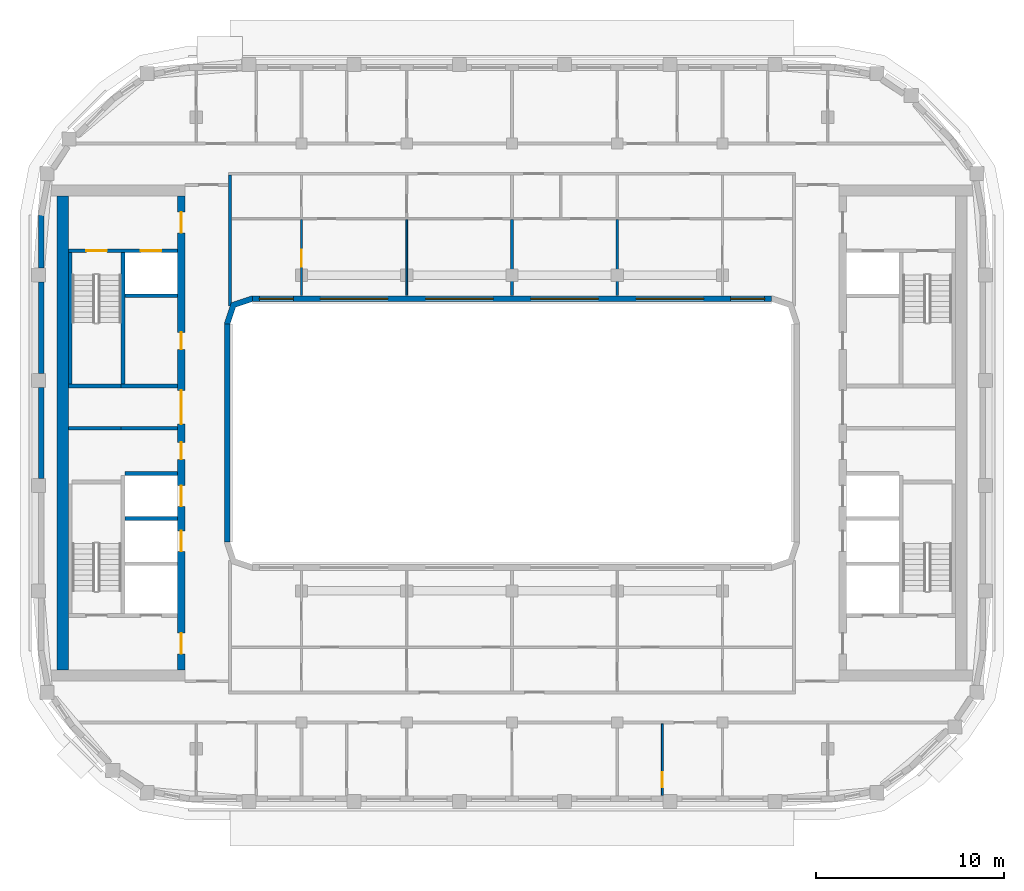
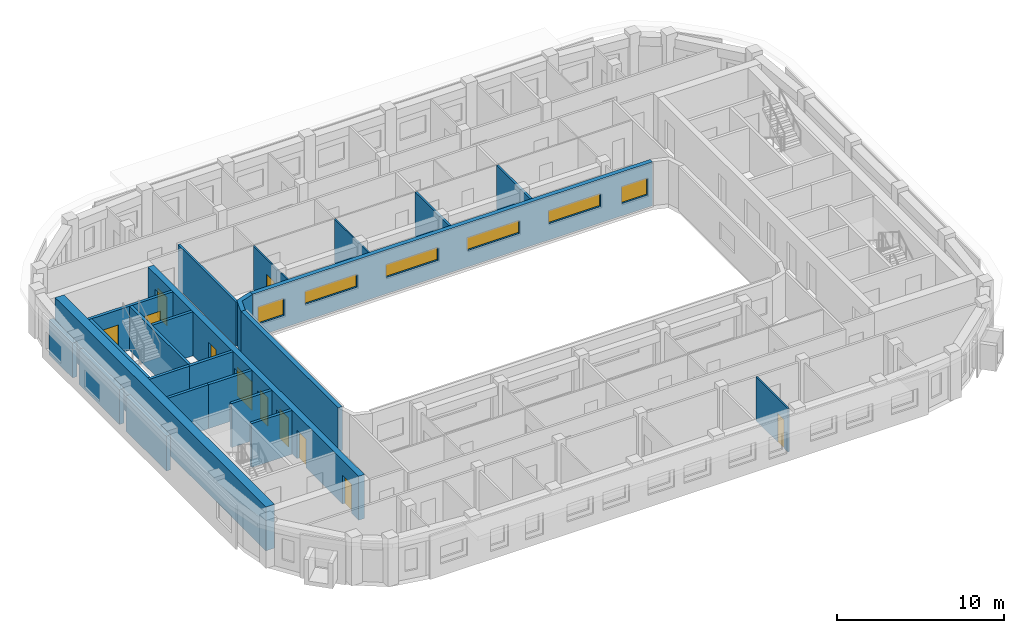
# One storey, part 4 of 16: 24 walls, 11 doors, 6 windows, 17 openings.
"""IFC4 building model written with IfcOpenShell, lengths in metres."""

from ifc_helpers import new_model, si_unit, direction, frame, frame_2d, origin, place, context, subcontext, project, spatial, polyline, rectangle, outline, extrude, material, layer, layer_set, type_object, element, fill, save


model = new_model("IFC4")

# Units and contexts
model_context = context("Model", 3, precision=1e-05, world=origin(), true_north=direction((0.0, 1.0)))
body_context = subcontext(model_context, "Body", "Model", "MODEL_VIEW")
ifc_project = project(units=[si_unit("LENGTHUNIT", "METRE"), si_unit("AREAUNIT", "SQUARE_METRE"), si_unit("VOLUMEUNIT", "CUBIC_METRE"), si_unit("PLANEANGLEUNIT", "RADIAN"), si_unit("MASSUNIT", "GRAM", prefix="KILO")], contexts=[model_context])

# Site, building, storey
site_placement = place(None, origin())
site = spatial("IfcSite", under=ifc_project, at=site_placement, CompositionType="ELEMENT")
building_placement = place(site_placement, origin())
building = spatial("IfcBuilding", under=site, at=building_placement, Name="Kiln Ring Residences", CompositionType="ELEMENT")
storey_placement = place(building_placement, frame((0.0, 0.0, 269.699951171875)))
storey = spatial("IfcBuildingStorey", under=building, at=storey_placement, Name="L70", CompositionType="ELEMENT", Elevation=269.699951171875)

# Walls
ifc_material_1 = material(Name="Gypsum board on steel studs", Category="steel")
ifc_layer_1 = layer(ifc_material_1, 0.199951171875)
ifc_layer_set_1 = layer_set([ifc_layer_1], Name="CORE-PARTITION-200")
wall_type_1 = type_object("IfcWallType", Name="CORE-PARTITION-200", PredefinedType="PARTITIONING", material=ifc_layer_set_1)
wall_1_placement = place(storey_placement, frame((-20.800048828125, 0.25, 0.0), z_axis=(0.0, 0.0, 1.0), x_axis=(-1.0, 0.0, 0.0)))
element("IfcWall", 1, at=wall_1_placement, inside=storey, type_object=wall_type_1, Name="Core partition west L70 1", PredefinedType="PARTITIONING", context=body_context, shape_type="SweptSolid", body=[
    extrude(rectangle(XDim=2.800048828125, YDim=0.199951171875, at=frame_2d((1.39990234375, 0.0))), origin(), (0.0, 0.0, 1.0), 3.199951171875),
])
ifc_material_2 = material(Name="Gypsum shaft wall system")
ifc_layer_2 = layer(ifc_material_2, 0.199951171875)
ifc_layer_set_2 = layer_set([ifc_layer_2], Name="CORE-SHAFT-WALL-200")
wall_type_2 = type_object("IfcWallType", Name="CORE-SHAFT-WALL-200", PredefinedType="PARTITIONING", material=ifc_layer_set_2)
for number, where, z_axis, x_axis, name in (
    (2, (-17.800048828125, -4.550048828125, 0.0), (0.0, 0.0, 1.0), (-1.0, 0.0, 0.0), "Core partition west L70 3"),
    (3, (-17.800048828125, -2.14990234375, 0.0), (0.0, 0.0, 1.0), (-1.0, 0.0, 0.0), "Core partition west L70 4"),
):
    element("IfcWall", number, at=place(storey_placement, frame(where, z_axis=z_axis, x_axis=x_axis)), inside=storey, type_object=wall_type_2, Name=name, PredefinedType="PARTITIONING", context=body_context, shape_type="SweptSolid", body=[
        extrude(rectangle(XDim=2.800048828125, YDim=0.199951171875, at=frame_2d((1.39990234375, 0.0))), origin(), (0.0, 0.0, 1.0), 3.199951171875),
    ])
for number, where, z_axis, x_axis, name in (
    (4, (-17.800048828125, 0.25, 0.0), (0.0, 0.0, 1.0), (-1.0, 0.0, 0.0), "Core partition west L70 5"),
    (5, (-17.800048828125, 2.5, 0.0), (0.0, 0.0, 1.0), (-1.0, 0.0, 0.0), "Core partition west L70 6"),
):
    element("IfcWall", number, at=place(storey_placement, frame(where, z_axis=z_axis, x_axis=x_axis)), inside=storey, type_object=wall_type_2, Name=name, PredefinedType="PARTITIONING", context=body_context, shape_type="SweptSolid", body=[
        extrude(rectangle(XDim=3.0, YDim=0.199951171875, at=frame_2d((1.5, 0.0))), origin(), (0.0, 0.0, 1.0), 3.199951171875),
    ])
wall_2_placement = place(storey_placement, frame((-17.800048828125, 7.300048828125, 0.0), z_axis=(0.0, 0.0, 1.0), x_axis=(-1.0, 0.0, 0.0)))
element("IfcWall", 6, at=wall_2_placement, inside=storey, type_object=wall_type_2, Name="Core partition west L70 7", PredefinedType="PARTITIONING", context=body_context, shape_type="SweptSolid", body=[
    extrude(rectangle(XDim=2.800048828125, YDim=0.199951171875, at=frame_2d((1.39990234375, 0.0))), origin(), (0.0, 0.0, 1.0), 3.199951171875),
])
ifc_material_3 = material(Name="Concrete C40/50", Category="concrete")
ifc_layer_3 = layer(ifc_material_3, 0.199951171875)
ifc_layer_set_3 = layer_set([ifc_layer_3], Name="CORE-WALL-RC200")
wall_type_3 = type_object("IfcWallType", Name="CORE-WALL-RC200", PredefinedType="SHEAR", material=ifc_layer_set_3)
wall_3_placement = place(storey_placement, frame((-20.699951171875, 2.60009765625, 0.0), z_axis=(0.0, 0.0, 1.0), x_axis=(0.0, 1.0, 0.0)))
element("IfcWall", 7, at=wall_3_placement, inside=storey, type_object=wall_type_3, Name="Core wall west L70 1", PredefinedType="SHEAR", context=body_context, shape_type="SweptSolid", body=[
    extrude(rectangle(XDim=7.0, YDim=0.199951171875, at=frame_2d((3.5, 0.0))), origin(), (0.0, 0.0, 1.0), 3.199951171875),
])
wall_4_placement = place(storey_placement, frame((-20.800048828125, 2.5, 0.0), z_axis=(0.0, 0.0, 1.0), x_axis=(-1.0, 0.0, 0.0)))
element("IfcWall", 8, at=wall_4_placement, inside=storey, type_object=wall_type_3, Name="Core wall west L70 3", PredefinedType="SHEAR", context=body_context, shape_type="SweptSolid", body=[
    extrude(rectangle(XDim=2.800048828125, YDim=0.199951171875, at=frame_2d((1.39990234375, 0.0))), origin(), (0.0, 0.0, 1.0), 3.199951171875),
])

# Wall, openings, doors
wall_5_placement = place(storey_placement, frame((-17.800048828125, 9.699951171875, 0.0), z_axis=(0.0, 0.0, 1.0), x_axis=(-1.0, 0.0, 0.0)))
wall_5 = element("IfcWall", 9, at=wall_5_placement, inside=storey, type_object=wall_type_3, Name="Core wall west L70 9", PredefinedType="SHEAR", context=body_context, shape_type="SweptSolid", body=[
    extrude(rectangle(XDim=5.800048828125, YDim=0.199951171875, at=frame_2d((2.89990234375, 0.0))), origin(), (0.0, 0.0, 1.0), 3.199951171875),
])
opening_1_placement = place(wall_5_placement, frame((0.85009765625, 0.0, 0.0)))
opening_1 = element("IfcOpeningElement", 10, at=opening_1_placement, cuts=wall_5, Name="Opening L70-CW06", PredefinedType="OPENING", context=body_context, shape_type="SweptSolid", body=[
    extrude(rectangle(XDim=1.10009765625, YDim=2.10009765625, at=frame_2d((0.550048828125, 1.050048828125))), frame((0.0, 0.10986328125, 0.0), z_axis=(0.0, -1.0, 0.0), x_axis=(1.0, 0.0, 0.0)), (0.0, 0.0, 1.0), 0.219970703125),
])
opening_2_placement = place(wall_5_placement, frame((3.75, 0.0, 0.0)))
opening_2 = element("IfcOpeningElement", 11, at=opening_2_placement, cuts=wall_5, Name="Opening L70-CW09", PredefinedType="OPENING", context=body_context, shape_type="SweptSolid", body=[
    extrude(rectangle(XDim=1.10009765625, YDim=2.10009765625, at=frame_2d((0.550048828125, 1.050048828125))), frame((0.0, 0.10986328125, 0.0), z_axis=(0.0, -1.0, 0.0), x_axis=(1.0, 0.0, 0.0)), (0.0, 0.0, 1.0), 0.219970703125),
])
ifc_material_4 = material(Name="Steel door leaf", Category="steel")
door_type_1 = type_object("IfcDoorType", Name="CORE-DOOR-LD", OperationType="DOUBLE_DOOR_SLIDING", PredefinedType="DOOR", material=ifc_material_4)
door_1_placement = place(opening_1_placement, origin())
door_1 = element("IfcDoor", 12, at=door_1_placement, inside=storey, type_object=door_type_1, Name="LD W-FF L70-CW06", OperationType="DOUBLE_DOOR_SLIDING", OverallHeight=2.10009765625, OverallWidth=1.10009765625, PredefinedType="DOOR", context=body_context, shape_type="SweptSolid", body=[
    extrude(rectangle(XDim=1.10009765625, YDim=2.10009765625, at=frame_2d((0.550048828125, 1.050048828125))), frame((0.0, 0.02490234375, 0.0), z_axis=(0.0, -1.0, 0.0), x_axis=(1.0, 0.0, 0.0)), (0.0, 0.0, 1.0), 0.050048828125),
])
fill(opening_1, door_1)
ifc_material_5 = material(Name="Steel door leaf", Category="steel")
door_type_2 = type_object("IfcDoorType", Name="CORE-DOOR-STAIR", OperationType="SINGLE_SWING_LEFT", PredefinedType="DOOR", material=ifc_material_5)
door_2_placement = place(opening_2_placement, origin())
door_2 = element("IfcDoor", 13, at=door_2_placement, inside=storey, type_object=door_type_2, Name="Stair W-STN L70-CW09", OperationType="SINGLE_SWING_LEFT", OverallHeight=2.10009765625, OverallWidth=1.10009765625, PredefinedType="DOOR", context=body_context, shape_type="SweptSolid", body=[
    extrude(rectangle(XDim=1.10009765625, YDim=2.10009765625, at=frame_2d((0.550048828125, 1.050048828125))), frame((0.0, 0.02490234375, 0.0), z_axis=(0.0, -1.0, 0.0), x_axis=(1.0, 0.0, 0.0)), (0.0, 0.0, 1.0), 0.050048828125),
])
fill(opening_2, door_2)

# Wall
wall_6_placement = place(storey_placement, frame((-23.5, 2.60009765625, 0.0), z_axis=(0.0, 0.0, 1.0), x_axis=(0.0, 1.0, 0.0)))
element("IfcWall", 14, at=wall_6_placement, inside=storey, type_object=wall_type_3, Name="Core wall west L70 10", PredefinedType="SHEAR", context=body_context, shape_type="SweptSolid", body=[
    extrude(rectangle(XDim=7.0, YDim=0.199951171875, at=frame_2d((3.5, 0.0))), origin(), (0.0, 0.0, 1.0), 3.199951171875),
])

# Wall, openings, doors
ifc_material_6 = material(Name="Concrete C60/75", Category="concrete")
ifc_layer_4 = layer(ifc_material_6, 0.39990234375)
ifc_layer_set_4 = layer_set([ifc_layer_4], Name="CORE-WALL-RC400")
wall_type_4 = type_object("IfcWallType", Name="CORE-WALL-RC400", PredefinedType="SHEAR", material=ifc_layer_set_4)
wall_7_placement = place(storey_placement, frame((-17.60009765625, -12.60009765625, 0.0), z_axis=(0.0, 0.0, 1.0), x_axis=(0.0, 1.0, 0.0)))
wall_7 = element("IfcWall", 15, at=wall_7_placement, inside=storey, type_object=wall_type_4, Name="Core wall west L70 6", PredefinedType="SHEAR", context=body_context, shape_type="SweptSolid", body=[
    extrude(rectangle(XDim=25.2001953125, YDim=0.39990234375, at=frame_2d((12.60009765625, 0.0))), origin(), (0.0, 0.0, 1.0), 3.199951171875),
])
opening_3_placement = place(wall_7_placement, frame((6.300048828125, 0.0, 0.0)))
opening_3 = element("IfcOpeningElement", 16, at=opening_3_placement, cuts=wall_7, Name="Opening L70-CW02", PredefinedType="OPENING", context=body_context, shape_type="SweptSolid", body=[
    extrude(rectangle(XDim=1.10009765625, YDim=2.10009765625, at=frame_2d((0.550048828125, 1.050048828125))), frame((0.0, 0.2099609375, 0.0), z_axis=(0.0, -1.0, 0.0), x_axis=(1.0, 0.0, 0.0)), (0.0, 0.0, 1.0), 0.419921875),
])
opening_4_placement = place(wall_7_placement, frame((8.699951171875, 0.0, 0.0)))
opening_4 = element("IfcOpeningElement", 17, at=opening_4_placement, cuts=wall_7, Name="Opening L70-CW03", PredefinedType="OPENING", context=body_context, shape_type="SweptSolid", body=[
    extrude(rectangle(XDim=1.10009765625, YDim=2.10009765625, at=frame_2d((0.550048828125, 1.050048828125))), frame((0.0, 0.2099609375, 0.0), z_axis=(0.0, -1.0, 0.0), x_axis=(1.0, 0.0, 0.0)), (0.0, 0.0, 1.0), 0.419921875),
])
opening_5_placement = place(wall_7_placement, frame((11.199951171875, 0.0, 0.0)))
opening_5 = element("IfcOpeningElement", 18, at=opening_5_placement, cuts=wall_7, Name="Opening L70-CW04", PredefinedType="OPENING", context=body_context, shape_type="SweptSolid", body=[
    extrude(rectangle(XDim=0.89990234375, YDim=2.10009765625, at=frame_2d((0.449951171875, 1.050048828125))), frame((0.0, 0.2099609375, 0.0), z_axis=(0.0, -1.0, 0.0), x_axis=(1.0, 0.0, 0.0)), (0.0, 0.0, 1.0), 0.419921875),
])
opening_6_placement = place(wall_7_placement, frame((17.050048828125, 0.0, 0.0)))
opening_6 = element("IfcOpeningElement", 19, at=opening_6_placement, cuts=wall_7, Name="Opening L70-CW05", PredefinedType="OPENING", context=body_context, shape_type="SweptSolid", body=[
    extrude(rectangle(XDim=0.89990234375, YDim=2.10009765625, at=frame_2d((0.449951171875, 1.050048828125))), frame((0.0, 0.2099609375, 0.0), z_axis=(0.0, -1.0, 0.0), x_axis=(1.0, 0.0, 0.0)), (0.0, 0.0, 1.0), 0.419921875),
])
opening_7_placement = place(wall_7_placement, frame((23.25, 0.0, 0.0)))
opening_7 = element("IfcOpeningElement", 20, at=opening_7_placement, cuts=wall_7, Name="Opening L70-CW07", PredefinedType="OPENING", context=body_context, shape_type="SweptSolid", body=[
    extrude(rectangle(XDim=1.10009765625, YDim=2.10009765625, at=frame_2d((0.550048828125, 1.050048828125))), frame((0.0, 0.2099609375, 0.0), z_axis=(0.0, -1.0, 0.0), x_axis=(1.0, 0.0, 0.0)), (0.0, 0.0, 1.0), 0.419921875),
])
opening_8_placement = place(wall_7_placement, frame((0.85009765625, 0.0, 0.0)))
opening_8 = element("IfcOpeningElement", 21, at=opening_8_placement, cuts=wall_7, Name="Opening L70-CW08", PredefinedType="OPENING", context=body_context, shape_type="SweptSolid", body=[
    extrude(rectangle(XDim=1.10009765625, YDim=2.10009765625, at=frame_2d((0.550048828125, 1.050048828125))), frame((0.0, 0.2099609375, 0.0), z_axis=(0.0, -1.0, 0.0), x_axis=(1.0, 0.0, 0.0)), (0.0, 0.0, 1.0), 0.419921875),
])
opening_9_placement = place(wall_7_placement, frame((13.074951171875, 0.0, 0.0)))
opening_9 = element("IfcOpeningElement", 22, at=opening_9_placement, cuts=wall_7, Name="Opening L70-CW11", PredefinedType="OPENING", context=body_context, shape_type="SweptSolid", body=[
    extrude(rectangle(XDim=1.800048828125, YDim=2.10009765625, at=frame_2d((0.89990234375, 1.050048828125))), frame((0.0, 0.2099609375, 0.0), z_axis=(0.0, -1.0, 0.0), x_axis=(1.0, 0.0, 0.0)), (0.0, 0.0, 1.0), 0.419921875),
])
door_3_placement = place(opening_3_placement, origin())
door_3 = element("IfcDoor", 23, at=door_3_placement, inside=storey, type_object=door_type_1, Name="LD W-H1 L70-CW02", OperationType="DOUBLE_DOOR_SLIDING", OverallHeight=2.10009765625, OverallWidth=1.10009765625, PredefinedType="DOOR", context=body_context, shape_type="SweptSolid", body=[
    extrude(rectangle(XDim=1.10009765625, YDim=2.10009765625, at=frame_2d((0.550048828125, 1.050048828125))), frame((0.0, 0.02490234375, 0.0), z_axis=(0.0, -1.0, 0.0), x_axis=(1.0, 0.0, 0.0)), (0.0, 0.0, 1.0), 0.050048828125),
])
fill(opening_3, door_3)
door_4_placement = place(opening_4_placement, origin())
door_4 = element("IfcDoor", 24, at=door_4_placement, inside=storey, type_object=door_type_1, Name="LD W-H2 L70-CW03", OperationType="DOUBLE_DOOR_SLIDING", OverallHeight=2.10009765625, OverallWidth=1.10009765625, PredefinedType="DOOR", context=body_context, shape_type="SweptSolid", body=[
    extrude(rectangle(XDim=1.10009765625, YDim=2.10009765625, at=frame_2d((0.550048828125, 1.050048828125))), frame((0.0, 0.02490234375, 0.0), z_axis=(0.0, -1.0, 0.0), x_axis=(1.0, 0.0, 0.0)), (0.0, 0.0, 1.0), 0.050048828125),
])
fill(opening_4, door_4)
ifc_material_7 = material(Name="Steel door leaf", Category="steel")
door_type_3 = type_object("IfcDoorType", Name="CORE-DOOR-LOBBY", OperationType="SINGLE_SWING_LEFT", PredefinedType="DOOR", material=ifc_material_7)
door_5_placement = place(opening_7_placement, origin())
door_5 = element("IfcDoor", 25, at=door_5_placement, inside=storey, type_object=door_type_3, Name="FFL L70-CW07", OperationType="SINGLE_SWING_RIGHT", OverallHeight=2.10009765625, OverallWidth=1.10009765625, PredefinedType="DOOR", context=body_context, shape_type="SweptSolid", body=[
    extrude(rectangle(XDim=1.10009765625, YDim=2.10009765625, at=frame_2d((0.550048828125, 1.050048828125))), frame((0.0, 0.02490234375, 0.0), z_axis=(0.0, -1.0, 0.0), x_axis=(1.0, 0.0, 0.0)), (0.0, 0.0, 1.0), 0.050048828125),
])
fill(opening_7, door_5)
door_6_placement = place(opening_8_placement, origin())
door_6 = element("IfcDoor", 26, at=door_6_placement, inside=storey, type_object=door_type_3, Name="SVL L70-CW08", OperationType="SINGLE_SWING_LEFT", OverallHeight=2.10009765625, OverallWidth=1.10009765625, PredefinedType="DOOR", context=body_context, shape_type="SweptSolid", body=[
    extrude(rectangle(XDim=1.10009765625, YDim=2.10009765625, at=frame_2d((0.550048828125, 1.050048828125))), frame((0.0, 0.02490234375, 0.0), z_axis=(0.0, -1.0, 0.0), x_axis=(1.0, 0.0, 0.0)), (0.0, 0.0, 1.0), 0.050048828125),
])
fill(opening_8, door_6)
ifc_material_8 = material(Name="Steel door leaf", Category="steel")
door_type_4 = type_object("IfcDoorType", Name="CORE-DOOR-PASS", OperationType="DOUBLE_DOOR_SINGLE_SWING", PredefinedType="DOOR", material=ifc_material_8)
door_7_placement = place(opening_9_placement, origin())
door_7 = element("IfcDoor", 27, at=door_7_placement, inside=storey, type_object=door_type_4, Name="Core passage L70-CW11", OperationType="DOUBLE_DOOR_SINGLE_SWING", OverallHeight=2.10009765625, OverallWidth=1.800048828125, PredefinedType="DOOR", context=body_context, shape_type="SweptSolid", body=[
    extrude(rectangle(XDim=1.800048828125, YDim=2.10009765625, at=frame_2d((0.89990234375, 1.050048828125))), frame((0.0, 0.02490234375, 0.0), z_axis=(0.0, -1.0, 0.0), x_axis=(1.0, 0.0, 0.0)), (0.0, 0.0, 1.0), 0.050048828125),
])
fill(opening_9, door_7)
ifc_material_9 = material(Name="Steel door leaf", Category="steel")
door_type_5 = type_object("IfcDoorType", Name="CORE-DOOR-ROOM", OperationType="SINGLE_SWING_LEFT", PredefinedType="DOOR", material=ifc_material_9)
door_8_placement = place(opening_5_placement, origin())
door_8 = element("IfcDoor", 28, at=door_8_placement, inside=storey, type_object=door_type_5, Name="Store L70-CW04", OperationType="SINGLE_SWING_RIGHT", OverallHeight=2.10009765625, OverallWidth=0.89990234375, PredefinedType="DOOR", context=body_context, shape_type="SweptSolid", body=[
    extrude(rectangle(XDim=0.89990234375, YDim=2.10009765625, at=frame_2d((0.449951171875, 1.050048828125))), frame((0.0, 0.02490234375, 0.0), z_axis=(0.0, -1.0, 0.0), x_axis=(1.0, 0.0, 0.0)), (0.0, 0.0, 1.0), 0.050048828125),
])
fill(opening_5, door_8)
door_9_placement = place(opening_6_placement, origin())
door_9 = element("IfcDoor", 29, at=door_9_placement, inside=storey, type_object=door_type_5, Name="Housekeeping store L70-CW05", OperationType="SINGLE_SWING_LEFT", OverallHeight=2.10009765625, OverallWidth=0.89990234375, PredefinedType="DOOR", context=body_context, shape_type="SweptSolid", body=[
    extrude(rectangle(XDim=0.89990234375, YDim=2.10009765625, at=frame_2d((0.449951171875, 1.050048828125))), frame((0.0, 0.02490234375, 0.0), z_axis=(0.0, -1.0, 0.0), x_axis=(1.0, 0.0, 0.0)), (0.0, 0.0, 1.0), 0.050048828125),
])
fill(opening_6, door_9)

# Walls
ifc_material_10 = material(Name="Concrete C60/75", Category="concrete")
ifc_layer_5 = layer(ifc_material_10, 0.60009765625)
ifc_layer_set_5 = layer_set([ifc_layer_5], Name="CORE-WALL-RC600")
wall_type_5 = type_object("IfcWallType", Name="CORE-WALL-RC600", PredefinedType="SHEAR", material=ifc_layer_set_5)
wall_8_placement = place(storey_placement, frame((-23.89990234375, -12.60009765625, 0.0), z_axis=(0.0, 0.0, 1.0), x_axis=(0.0, 1.0, 0.0)))
element("IfcWall", 30, at=wall_8_placement, inside=storey, type_object=wall_type_5, Name="Core wall west L70 7", PredefinedType="SHEAR", context=body_context, shape_type="SweptSolid", body=[
    extrude(rectangle(XDim=25.2001953125, YDim=0.60009765625, at=frame_2d((12.60009765625, 0.0))), origin(), (0.0, 0.0, 1.0), 3.199951171875),
])
ifc_material_11 = material(Name="Brick masonry, dark clay brick", Category="masonry")
ifc_layer_6 = layer(ifc_material_11, 0.300048828125)
ifc_layer_set_6 = layer_set([ifc_layer_6], Name="EW-300 BRICK WALL")
wall_type_6 = type_object("IfcWallType", Name="EW-300 BRICK WALL", PredefinedType="SOLIDWALL", material=ifc_layer_set_6)
wall_9_placement = place(storey_placement, frame((-25.050048828125, 11.60009765625, 0.0), z_axis=(0.0, 0.0, 1.0), x_axis=(0.0, -1.0, 0.0)))
element("IfcWall", 31, at=wall_9_placement, inside=storey, type_object=wall_type_6, Name="Facade wall L70 38", PredefinedType="SOLIDWALL", context=body_context, shape_type="SweptSolid", body=[
    extrude(rectangle(XDim=2.8251953125, YDim=0.300048828125, at=frame_2d((1.41259765625, 0.0))), origin(), (0.0, 0.0, 1.0), 2.550048828125),
])
wall_10_placement = place(storey_placement, frame((-25.050048828125, 8.02490234375, 0.0), z_axis=(0.0, 0.0, 1.0), x_axis=(0.0, -1.0, 0.0)))
element("IfcWall", 32, at=wall_10_placement, inside=storey, type_object=wall_type_6, Name="Facade wall L70 39", PredefinedType="SOLIDWALL", context=body_context, shape_type="SweptSolid", body=[
    extrude(rectangle(XDim=4.849853515625, YDim=0.300048828125, at=frame_2d((2.4248046875, 0.0))), origin(), (0.0, 0.0, 1.0), 2.550048828125),
])
wall_11_placement = place(storey_placement, frame((-25.050048828125, 2.425048828125, 0.0), z_axis=(0.0, 0.0, 1.0), x_axis=(0.0, -1.0, 0.0)))
element("IfcWall", 33, at=wall_11_placement, inside=storey, type_object=wall_type_6, Name="Facade wall L70 40", PredefinedType="SOLIDWALL", context=body_context, shape_type="SweptSolid", body=[
    extrude(rectangle(XDim=4.85009765625, YDim=0.300048828125, at=frame_2d((2.425048828125, 0.0))), origin(), (0.0, 0.0, 1.0), 2.550048828125),
])
wall_12_placement = place(storey_placement, frame((-15.14990234375, -5.800048828125, 0.0), z_axis=(0.0, 0.0, 1.0), x_axis=(0.0, 1.0, 0.0)))
element("IfcWall", 34, at=wall_12_placement, inside=storey, type_object=wall_type_6, Name="Facade wall L70 45", PredefinedType="SOLIDWALL", context=body_context, shape_type="SweptSolid", body=[
    extrude(rectangle(XDim=11.60009765625, YDim=0.300048828125, at=frame_2d((5.800048828125, 0.0))), origin(), (0.0, 0.0, 1.0), 3.199951171875),
])

# Wall, openings, windows
wall_13_placement = place(storey_placement, frame((-13.800048828125, 7.14990234375, 0.0), z_axis=(0.0, 0.0, 1.0), x_axis=(1.0, 0.0, 0.0)))
wall_13 = element("IfcWall", 35, at=wall_13_placement, inside=storey, type_object=wall_type_6, Name="Facade wall L70 46", PredefinedType="SOLIDWALL", context=body_context, shape_type="SweptSolid", body=[
    extrude(rectangle(XDim=27.60009765625, YDim=0.300048828125, at=frame_2d((13.800048828125, 0.0))), origin(), (0.0, 0.0, 1.0), 3.199951171875),
])
opening_10_placement = place(wall_13_placement, frame((0.362548828125, 0.0, 0.89990234375)))
opening_10 = element("IfcOpeningElement", 36, at=opening_10_placement, cuts=wall_13, Name="Opening W2", PredefinedType="OPENING", context=body_context, shape_type="SweptSolid", body=[
    extrude(rectangle(XDim=1.800048828125, YDim=1.25, at=frame_2d((0.89990234375, 0.625))), frame((0.0, 0.159912109375, 0.0), z_axis=(0.0, -1.0, 0.0), x_axis=(1.0, 0.0, 0.0)), (0.0, 0.0, 1.0), 0.320068359375),
])
opening_11_placement = place(wall_13_placement, frame((3.60009765625, 0.0, 1.199951171875)))
opening_11 = element("IfcOpeningElement", 37, at=opening_11_placement, cuts=wall_13, Name="Opening W4", PredefinedType="OPENING", context=body_context, shape_type="SweptSolid", body=[
    extrude(rectangle(XDim=3.60009765625, YDim=0.949951171875, at=frame_2d((1.800048828125, 0.47509765625))), frame((0.0, 0.159912109375, 0.0), z_axis=(0.0, -1.0, 0.0), x_axis=(1.0, 0.0, 0.0)), (0.0, 0.0, 1.0), 0.320068359375),
])
opening_12_placement = place(wall_13_placement, frame((9.199951171875, 0.0, 1.199951171875)))
opening_12 = element("IfcOpeningElement", 38, at=opening_12_placement, cuts=wall_13, Name="Opening W4", PredefinedType="OPENING", context=body_context, shape_type="SweptSolid", body=[
    extrude(rectangle(XDim=3.60009765625, YDim=0.949951171875, at=frame_2d((1.800048828125, 0.47509765625))), frame((0.0, 0.159912109375, 0.0), z_axis=(0.0, -1.0, 0.0), x_axis=(1.0, 0.0, 0.0)), (0.0, 0.0, 1.0), 0.320068359375),
])
opening_13_placement = place(wall_13_placement, frame((14.800048828125, 0.0, 1.199951171875)))
opening_13 = element("IfcOpeningElement", 39, at=opening_13_placement, cuts=wall_13, Name="Opening W4", PredefinedType="OPENING", context=body_context, shape_type="SweptSolid", body=[
    extrude(rectangle(XDim=3.60009765625, YDim=0.949951171875, at=frame_2d((1.800048828125, 0.47509765625))), frame((0.0, 0.159912109375, 0.0), z_axis=(0.0, -1.0, 0.0), x_axis=(1.0, 0.0, 0.0)), (0.0, 0.0, 1.0), 0.320068359375),
])
opening_14_placement = place(wall_13_placement, frame((20.39990234375, 0.0, 1.199951171875)))
opening_14 = element("IfcOpeningElement", 40, at=opening_14_placement, cuts=wall_13, Name="Opening W4", PredefinedType="OPENING", context=body_context, shape_type="SweptSolid", body=[
    extrude(rectangle(XDim=3.60009765625, YDim=0.949951171875, at=frame_2d((1.800048828125, 0.47509765625))), frame((0.0, 0.159912109375, 0.0), z_axis=(0.0, -1.0, 0.0), x_axis=(1.0, 0.0, 0.0)), (0.0, 0.0, 1.0), 0.320068359375),
])
opening_15_placement = place(wall_13_placement, frame((25.4375, 0.0, 0.89990234375)))
opening_15 = element("IfcOpeningElement", 41, at=opening_15_placement, cuts=wall_13, Name="Opening W2", PredefinedType="OPENING", context=body_context, shape_type="SweptSolid", body=[
    extrude(rectangle(XDim=1.800048828125, YDim=1.25, at=frame_2d((0.89990234375, 0.625))), frame((0.0, 0.159912109375, 0.0), z_axis=(0.0, -1.0, 0.0), x_axis=(1.0, 0.0, 0.0)), (0.0, 0.0, 1.0), 0.320068359375),
])
ifc_material_12 = material(Name="Aluminium frame with double glazing", Category="aluminium")
window_type_1 = type_object("IfcWindowType", Name="WINDOW 1800 x 1250", PartitioningType="SINGLE_PANEL", PredefinedType="WINDOW", material=ifc_material_12)
window_1_placement = place(opening_10_placement, origin())
window_1 = element("IfcWindow", 42, at=window_1_placement, inside=storey, type_object=window_type_1, Name="Window L70 37", OverallHeight=1.25, OverallWidth=1.800048828125, PartitioningType="SINGLE_PANEL", PredefinedType="WINDOW", context=body_context, shape_type="SweptSolid", body=[
    extrude(rectangle(XDim=1.800048828125, YDim=1.25, at=frame_2d((0.89990234375, 0.625))), frame((0.0, 0.030029296875, 0.0), z_axis=(0.0, -1.0, 0.0), x_axis=(1.0, 0.0, 0.0)), (0.0, 0.0, 1.0), 0.06005859375),
])
fill(opening_10, window_1)
window_2_placement = place(opening_15_placement, origin())
window_2 = element("IfcWindow", 43, at=window_2_placement, inside=storey, type_object=window_type_1, Name="Window L70 42", OverallHeight=1.25, OverallWidth=1.800048828125, PartitioningType="SINGLE_PANEL", PredefinedType="WINDOW", context=body_context, shape_type="SweptSolid", body=[
    extrude(rectangle(XDim=1.800048828125, YDim=1.25, at=frame_2d((0.89990234375, 0.625))), frame((0.0, 0.030029296875, 0.0), z_axis=(0.0, -1.0, 0.0), x_axis=(1.0, 0.0, 0.0)), (0.0, 0.0, 1.0), 0.06005859375),
])
fill(opening_15, window_2)
ifc_material_13 = material(Name="Aluminium frame with double glazing", Category="aluminium")
window_type_2 = type_object("IfcWindowType", Name="WINDOW 3600 x 950", PartitioningType="SINGLE_PANEL", PredefinedType="WINDOW", material=ifc_material_13)
window_3_placement = place(opening_11_placement, origin())
window_3 = element("IfcWindow", 44, at=window_3_placement, inside=storey, type_object=window_type_2, Name="Window L70 38", OverallHeight=0.949951171875, OverallWidth=3.60009765625, PartitioningType="SINGLE_PANEL", PredefinedType="WINDOW", context=body_context, shape_type="SweptSolid", body=[
    extrude(rectangle(XDim=3.60009765625, YDim=0.949951171875, at=frame_2d((1.800048828125, 0.47509765625))), frame((0.0, 0.030029296875, 0.0), z_axis=(0.0, -1.0, 0.0), x_axis=(1.0, 0.0, 0.0)), (0.0, 0.0, 1.0), 0.06005859375),
])
fill(opening_11, window_3)
window_4_placement = place(opening_12_placement, origin())
window_4 = element("IfcWindow", 45, at=window_4_placement, inside=storey, type_object=window_type_2, Name="Window L70 39", OverallHeight=0.949951171875, OverallWidth=3.60009765625, PartitioningType="SINGLE_PANEL", PredefinedType="WINDOW", context=body_context, shape_type="SweptSolid", body=[
    extrude(rectangle(XDim=3.60009765625, YDim=0.949951171875, at=frame_2d((1.800048828125, 0.47509765625))), frame((0.0, 0.030029296875, 0.0), z_axis=(0.0, -1.0, 0.0), x_axis=(1.0, 0.0, 0.0)), (0.0, 0.0, 1.0), 0.06005859375),
])
fill(opening_12, window_4)
window_5_placement = place(opening_13_placement, origin())
window_5 = element("IfcWindow", 46, at=window_5_placement, inside=storey, type_object=window_type_2, Name="Window L70 40", OverallHeight=0.949951171875, OverallWidth=3.60009765625, PartitioningType="SINGLE_PANEL", PredefinedType="WINDOW", context=body_context, shape_type="SweptSolid", body=[
    extrude(rectangle(XDim=3.60009765625, YDim=0.949951171875, at=frame_2d((1.800048828125, 0.47509765625))), frame((0.0, 0.030029296875, 0.0), z_axis=(0.0, -1.0, 0.0), x_axis=(1.0, 0.0, 0.0)), (0.0, 0.0, 1.0), 0.06005859375),
])
fill(opening_13, window_5)
window_6_placement = place(opening_14_placement, origin())
window_6 = element("IfcWindow", 47, at=window_6_placement, inside=storey, type_object=window_type_2, Name="Window L70 41", OverallHeight=0.949951171875, OverallWidth=3.60009765625, PartitioningType="SINGLE_PANEL", PredefinedType="WINDOW", context=body_context, shape_type="SweptSolid", body=[
    extrude(rectangle(XDim=3.60009765625, YDim=0.949951171875, at=frame_2d((1.800048828125, 0.47509765625))), frame((0.0, 0.030029296875, 0.0), z_axis=(0.0, -1.0, 0.0), x_axis=(1.0, 0.0, 0.0)), (0.0, 0.0, 1.0), 0.06005859375),
])
fill(opening_14, window_6)

# Wall
wall_14_placement = place(storey_placement, origin())
element("IfcWall", 48, at=wall_14_placement, inside=storey, type_object=wall_type_6, Name="Corner wall L70 1", PredefinedType="SOLIDWALL", context=body_context, shape_type="SweptSolid", body=[
    extrude(outline(polyline([(-13.8486328125, 7.300048828125), (-14.937255859375, 6.937255859375), (-15.300048828125, 5.8486328125), (-15.300048828125, 5.800048828125), (-15.0, 5.800048828125), (-14.699951171875, 6.699951171875), (-13.800048828125, 7.0), (-13.800048828125, 7.300048828125), (-13.8486328125, 7.300048828125)])), origin(), (0.0, 0.0, 1.0), 3.199951171875),
])

# Wall, opening, door
ifc_material_14 = material(Name="Gypsum board on steel studs", Category="steel")
ifc_layer_7 = layer(ifc_material_14, 0.10009765625)
ifc_layer_set_7 = layer_set([ifc_layer_7], Name="PARTITION-100")
wall_type_7 = type_object("IfcWallType", Name="PARTITION-100", PredefinedType="PARTITIONING", material=ifc_layer_set_7)
wall_15_placement = place(storey_placement, frame((-11.199951171875, 7.320068359375, 0.0), z_axis=(0.0, 0.0, 1.0), x_axis=(0.0, 1.0, 0.0)))
wall_15 = element("IfcWall", 49, at=wall_15_placement, inside=storey, type_object=wall_type_7, Name="Partition 018", PredefinedType="PARTITIONING", context=body_context, shape_type="SweptSolid", body=[
    extrude(rectangle(XDim=4.030029296875, YDim=0.10009765625, at=frame_2d((2.01513671875, 0.0))), origin(), (0.0, 0.0, 1.0), 3.199951171875),
])
opening_16_placement = place(wall_15_placement, frame((1.530029296875, 0.0, 0.0)))
opening_16 = element("IfcOpeningElement", 50, at=opening_16_placement, cuts=wall_15, Name="Opening L70-D010", PredefinedType="OPENING", context=body_context, shape_type="SweptSolid", body=[
    extrude(rectangle(XDim=0.89990234375, YDim=2.10009765625, at=frame_2d((0.449951171875, 1.050048828125))), frame((0.0, 0.06005859375, 0.0), z_axis=(0.0, -1.0, 0.0), x_axis=(1.0, 0.0, 0.0)), (0.0, 0.0, 1.0), 0.1201171875),
])
ifc_material_15 = material(Name="Timber door leaf", Category="wood")
door_type_6 = type_object("IfcDoorType", Name="FLAT-DOOR-900-PL", OperationType="SINGLE_SWING_LEFT", PredefinedType="DOOR", material=ifc_material_15)
door_10_placement = place(opening_16_placement, origin())
door_10 = element("IfcDoor", 51, at=door_10_placement, inside=storey, type_object=door_type_6, Name="Door L70-D010", OperationType="SINGLE_SWING_RIGHT", OverallHeight=2.10009765625, OverallWidth=0.89990234375, PredefinedType="DOOR", context=body_context, shape_type="SweptSolid", body=[
    extrude(rectangle(XDim=0.89990234375, YDim=2.10009765625, at=frame_2d((0.449951171875, 1.050048828125))), frame((0.0, 0.02490234375, 0.0), z_axis=(0.0, -1.0, 0.0), x_axis=(1.0, 0.0, 0.0)), (0.0, 0.0, 1.0), 0.050048828125),
])
fill(opening_16, door_10)

# Wall
wall_16_placement = place(storey_placement, frame((-5.60009765625, 7.320068359375, 0.0), z_axis=(0.0, 0.0, 1.0), x_axis=(0.0, 1.0, 0.0)))
element("IfcWall", 52, at=wall_16_placement, inside=storey, type_object=wall_type_7, Name="Partition 027", PredefinedType="PARTITIONING", context=body_context, shape_type="SweptSolid", body=[
    extrude(rectangle(XDim=4.030029296875, YDim=0.10009765625, at=frame_2d((2.01513671875, 0.0))), origin(), (0.0, 0.0, 1.0), 3.199951171875),
])

# Wall, opening, door
wall_17_placement = place(storey_placement, frame((8.0, -19.280029296875, 0.0), z_axis=(0.0, 0.0, 1.0), x_axis=(0.0, 1.0, 0.0)))
wall_17 = element("IfcWall", 53, at=wall_17_placement, inside=storey, type_object=wall_type_7, Name="Partition 043", PredefinedType="PARTITIONING", context=body_context, shape_type="SweptSolid", body=[
    extrude(rectangle(XDim=3.804931640625, YDim=0.10009765625, at=frame_2d((1.90234375, 0.0))), origin(), (0.0, 0.0, 1.0), 3.199951171875),
])
opening_17_placement = place(wall_17_placement, frame((0.428955078125, 0.0, 0.0)))
opening_17 = element("IfcOpeningElement", 54, at=opening_17_placement, cuts=wall_17, Name="Opening L70-D050", PredefinedType="OPENING", context=body_context, shape_type="SweptSolid", body=[
    extrude(rectangle(XDim=0.800048828125, YDim=2.10009765625, at=frame_2d((0.39990234375, 1.050048828125))), frame((0.0, 0.06005859375, 0.0), z_axis=(0.0, -1.0, 0.0), x_axis=(1.0, 0.0, 0.0)), (0.0, 0.0, 1.0), 0.1201171875),
])
ifc_material_16 = material(Name="Timber door leaf", Category="wood")
door_type_7 = type_object("IfcDoorType", Name="FLAT-DOOR-800-PL", OperationType="SINGLE_SWING_LEFT", PredefinedType="DOOR", material=ifc_material_16)
door_11_placement = place(opening_17_placement, origin())
door_11 = element("IfcDoor", 55, at=door_11_placement, inside=storey, type_object=door_type_7, Name="Door L70-D050", OperationType="SINGLE_SWING_RIGHT", OverallHeight=2.10009765625, OverallWidth=0.800048828125, PredefinedType="DOOR", context=body_context, shape_type="SweptSolid", body=[
    extrude(rectangle(XDim=0.800048828125, YDim=2.10009765625, at=frame_2d((0.39990234375, 1.050048828125))), frame((0.0, 0.02490234375, 0.0), z_axis=(0.0, -1.0, 0.0), x_axis=(1.0, 0.0, 0.0)), (0.0, 0.0, 1.0), 0.050048828125),
])
fill(opening_17, door_11)

# Walls
ifc_material_17 = material(Name="Brick masonry partition", Category="masonry")
ifc_layer_8 = layer(ifc_material_17, 0.14990234375)
ifc_layer_set_8 = layer_set([ifc_layer_8], Name="PARTITION-150-ei60")
wall_type_8 = type_object("IfcWallType", Name="PARTITION-150-ei60", PredefinedType="PARTITIONING", material=ifc_layer_set_8)
wall_18_placement = place(storey_placement, frame((-15.0, 6.768798828125, 0.0), z_axis=(0.0, 0.0, 1.0), x_axis=(0.0, 1.0, 0.0)))
element("IfcWall", 56, at=wall_18_placement, inside=storey, type_object=wall_type_8, Name="Partition 013", PredefinedType="PARTITIONING", context=body_context, shape_type="SweptSolid", body=[
    extrude(rectangle(XDim=6.956298828125, YDim=0.14990234375, at=frame_2d((3.47802734375, 0.0))), origin(), (0.0, 0.0, 1.0), 3.199951171875),
])
for number, where, z_axis, x_axis, name in (
    (57, (0.0, 7.320068359375, 0.0), (0.0, 0.0, 1.0), (0.0, 1.0, 0.0), "Partition 033"),
    (58, (5.60009765625, 7.320068359375, 0.0), (0.0, 0.0, 1.0), (0.0, 1.0, 0.0), "Partition 041"),
):
    element("IfcWall", number, at=place(storey_placement, frame(where, z_axis=z_axis, x_axis=x_axis)), inside=storey, type_object=wall_type_8, Name=name, PredefinedType="PARTITIONING", context=body_context, shape_type="SweptSolid", body=[
        extrude(rectangle(XDim=4.030029296875, YDim=0.14990234375, at=frame_2d((2.01513671875, 0.0))), origin(), (0.0, 0.0, 1.0), 3.199951171875),
    ])

save(model, "model.ifc")
